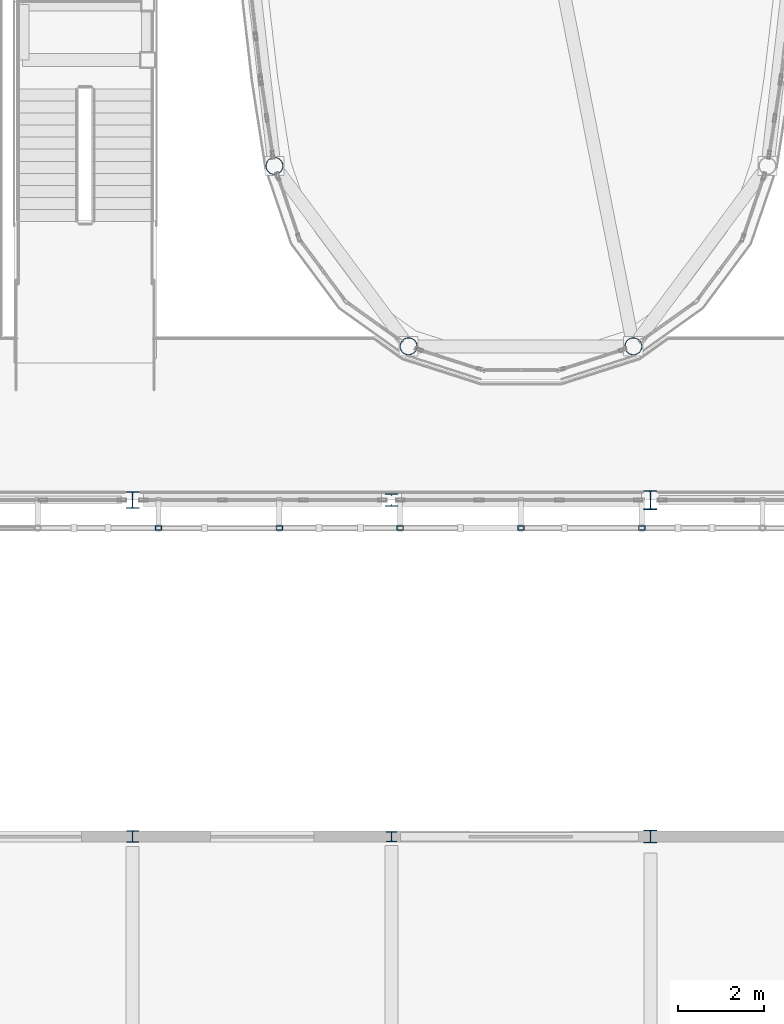
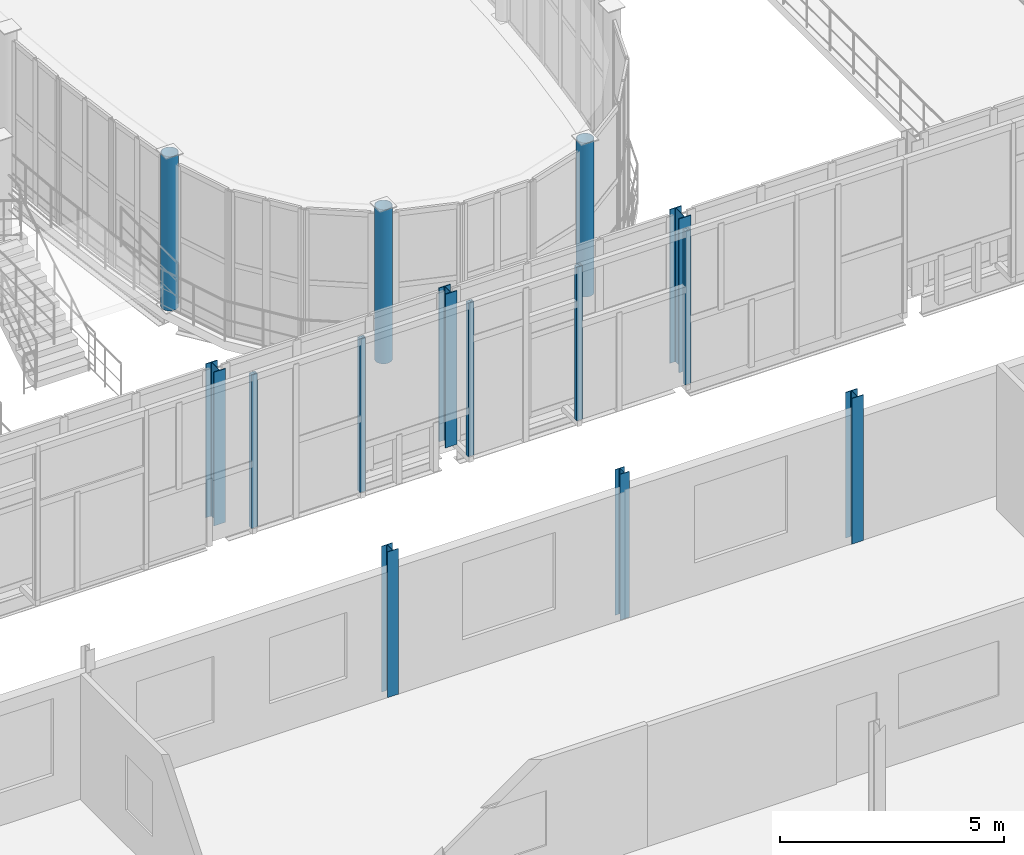
# One storey, part 5 of 121: 14 columns.
"""IFC4 building model written with IfcOpenShell, lengths in metres."""

from ifc_helpers import new_model, si_unit, direction, frame, origin, origin_2d, place, context, subcontext, project, spatial, hollow_rectangle, hollow_circle, i_section, extrude, material, material_profile, profile_set, type_object, element, save


model = new_model("IFC4")

# Units and contexts
model_context = context("Model", 3, precision=1e-05, world=origin(), true_north=direction((0.0, 1.0)))
body_context = subcontext(model_context, "Body", "Model", "MODEL_VIEW")
ifc_project = project(units=[si_unit("LENGTHUNIT", "METRE"), si_unit("AREAUNIT", "SQUARE_METRE"), si_unit("VOLUMEUNIT", "CUBIC_METRE"), si_unit("PLANEANGLEUNIT", "RADIAN"), si_unit("MASSUNIT", "GRAM", prefix="KILO")], contexts=[model_context])

# Site, building, storey
site_placement = place(None, origin())
site = spatial("IfcSite", under=ifc_project, at=site_placement, CompositionType="ELEMENT")
building_placement = place(site_placement, origin())
building = spatial("IfcBuilding", under=site, at=building_placement, Name="Vinh Khe Railworks Police Headquarters", CompositionType="ELEMENT")
storey_placement = place(building_placement, frame((0.0, 0.0, 4.800048828125)))
storey = spatial("IfcBuildingStorey", under=building, at=storey_placement, Name="L01", CompositionType="ELEMENT", Elevation=4.800048828125)

# Columns
ifc_material = material(Name="Steel S355JR", Category="steel")
ifc_material_profile_1 = material_profile(ifc_material, hollow_rectangle(XDim=0.14990234375, YDim=0.10009765625, WallThickness=0.008056640625, at=origin_2d()), Name="RHS 150x100x8")
ifc_profile_set_1 = profile_set([ifc_material_profile_1], Name="Steel S355JR")
column_type_1 = type_object("IfcColumnType", Name="COL-QUILT-POST", PredefinedType="COLUMN", material=ifc_profile_set_1)
for number, where, z_axis, x_axis, name in (
    (1, (34.800048828125, 24.550048828125, 0.0), (0.0, 0.0, 1.0), (1.0, 0.0, 0.0), "Patchwork Quilt Carrier Column S-4 (L01)"),
    (2, (37.60009765625, 24.550048828125, 0.0), (0.0, 0.0, 1.0), (1.0, 0.0, 0.0), "Patchwork Quilt Carrier Column S-5 (L01)"),
    (3, (40.39990234375, 24.550048828125, 0.0), (0.0, 0.0, 1.0), (1.0, 0.0, 0.0), "Patchwork Quilt Carrier Column S-6 (L01)"),
    (4, (43.199951171875, 24.550048828125, 0.0), (0.0, 0.0, 1.0), (1.0, 0.0, 0.0), "Patchwork Quilt Carrier Column S-7 (L01)"),
    (5, (46.0, 24.550048828125, 0.0), (0.0, 0.0, 1.0), (1.0, 0.0, 0.0), "Patchwork Quilt Carrier Column S-8 (L01)"),
):
    element("IfcColumn", number, at=place(storey_placement, frame(where, z_axis=z_axis, x_axis=x_axis)), inside=storey, type_object=column_type_1, Name=name, PredefinedType="COLUMN", context=body_context, shape_type="SweptSolid", body=[
        extrude(hollow_rectangle(XDim=0.14990234375, YDim=0.10009765625, WallThickness=0.008056640625, at=origin_2d()), origin(), (0.0, 0.0, 1.0), 4.199951171875),
    ])
ifc_material_profile_2 = material_profile(ifc_material, hollow_circle(Radius=0.203125, WallThickness=0.01611328125, at=origin_2d()), Name="CHS 406.4x16")
ifc_profile_set_2 = profile_set([ifc_material_profile_2], Name="Steel S355JR")
column_type_2 = type_object("IfcColumnType", Name="Steel Column CHS 406.4x16", PredefinedType="COLUMN", material=ifc_profile_set_2)
for number, where, z_axis, x_axis, name in (
    (6, (37.48681640625, 32.944091796875, 0.0), (0.0, 0.0, 1.0), (-0.946480392435, -0.322761315426, 0.0), "Column COL-L01-SC-26-0841"),
    (7, (40.594970703125, 28.762451171875, 0.0), (0.0, 0.0, 1.0), (-0.30552912238, -0.952182732136, 0.0), "Column COL-L01-SC-26-0880"),
    (8, (45.80517578125, 28.762451171875, 0.0), (0.0, 0.0, 1.0), (0.581981048437, -0.813202348287, 0.0), "Column COL-L01-SC-26-0890"),
):
    element("IfcColumn", number, at=place(storey_placement, frame(where, z_axis=z_axis, x_axis=x_axis)), inside=storey, type_object=column_type_2, Name=name, PredefinedType="COLUMN", context=body_context, shape_type="SweptSolid", body=[
        extrude(hollow_circle(Radius=0.203125, WallThickness=0.01611328125, at=origin_2d()), origin(), (0.0, 0.0, 1.0), 4.199951171875),
    ])
ifc_material_profile_3 = material_profile(ifc_material, i_section(OverallWidth=0.239990234375, OverallDepth=0.22998046875, WebThickness=0.007568359375, FlangeThickness=0.011962890625, FilletRadius=0.02099609375, at=origin_2d()), Name="HEA 240")
ifc_profile_set_3 = profile_set([ifc_material_profile_3], Name="Steel S355JR")
column_type_3 = type_object("IfcColumnType", Name="Steel Column HEA 240", PredefinedType="COLUMN", material=ifc_profile_set_3)
column_1_placement = place(storey_placement, frame((40.199951171875, 17.39990234375, 0.0), z_axis=(0.0, 0.0, 1.0), x_axis=(1.0, 0.0, 0.0)))
element("IfcColumn", 9, at=column_1_placement, inside=storey, type_object=column_type_3, Name="Column COL-L01-SC-20-0857", PredefinedType="COLUMN", context=body_context, shape_type="SweptSolid", body=[
    extrude(i_section(OverallWidth=0.239990234375, OverallDepth=0.22998046875, WebThickness=0.007568359375, FlangeThickness=0.011962890625, FilletRadius=0.02099609375, at=origin_2d()), origin(), (0.0, 0.0, 1.0), 3.97998046875),
])
ifc_material_profile_4 = material_profile(ifc_material, i_section(OverallWidth=0.280029296875, OverallDepth=0.27001953125, WebThickness=0.008056640625, FlangeThickness=0.012939453125, FilletRadius=0.02392578125, at=origin_2d()), Name="HEA 280")
ifc_profile_set_4 = profile_set([ifc_material_profile_4], Name="Steel S355JR")
column_type_4 = type_object("IfcColumnType", Name="Steel Column HEA 280", PredefinedType="COLUMN", material=ifc_profile_set_4)
column_2_placement = place(storey_placement, frame((34.199951171875, 17.39990234375, 0.0), z_axis=(0.0, 0.0, 1.0), x_axis=(1.0, 0.0, 0.0)))
element("IfcColumn", 10, at=column_2_placement, inside=storey, type_object=column_type_4, Name="Column COL-L01-SC-19-0788", PredefinedType="COLUMN", context=body_context, shape_type="SweptSolid", body=[
    extrude(i_section(OverallWidth=0.280029296875, OverallDepth=0.27001953125, WebThickness=0.008056640625, FlangeThickness=0.012939453125, FilletRadius=0.02392578125, at=origin_2d()), origin(), (0.0, 0.0, 1.0), 3.97998046875),
])
ifc_material_profile_5 = material_profile(ifc_material, i_section(OverallWidth=0.300048828125, OverallDepth=0.2900390625, WebThickness=0.008544921875, FlangeThickness=0.013916015625, FilletRadius=0.027099609375, at=origin_2d()), Name="HEA 300")
ifc_profile_set_5 = profile_set([ifc_material_profile_5], Name="Steel S355JR")
column_type_5 = type_object("IfcColumnType", Name="Steel Column HEA 300", PredefinedType="COLUMN", material=ifc_profile_set_5)
column_3_placement = place(storey_placement, frame((46.199951171875, 17.39990234375, 0.0), z_axis=(0.0, 0.0, 1.0), x_axis=(1.0, 0.0, 0.0)))
element("IfcColumn", 11, at=column_3_placement, inside=storey, type_object=column_type_5, Name="Column COL-L01-SC-18-0906", PredefinedType="COLUMN", context=body_context, shape_type="SweptSolid", body=[
    extrude(i_section(OverallWidth=0.300048828125, OverallDepth=0.2900390625, WebThickness=0.008544921875, FlangeThickness=0.013916015625, FilletRadius=0.027099609375, at=origin_2d()), origin(), (0.0, 0.0, 1.0), 3.97998046875),
])
ifc_material_profile_6 = material_profile(ifc_material, i_section(OverallWidth=0.300048828125, OverallDepth=0.389892578125, WebThickness=0.010986328125, FlangeThickness=0.01904296875, FilletRadius=0.027099609375, at=origin_2d()), Name="HEA 400")
ifc_profile_set_6 = profile_set([ifc_material_profile_6], Name="Steel S355JR")
column_type_6 = type_object("IfcColumnType", Name="Steel Column HEA 400", PredefinedType="COLUMN", material=ifc_profile_set_6)
column_4_placement = place(storey_placement, frame((34.199951171875, 25.199951171875, 0.0), z_axis=(0.0, 0.0, 1.0), x_axis=(1.0, 0.0, 0.0)))
element("IfcColumn", 12, at=column_4_placement, inside=storey, type_object=column_type_6, Name="Column COL-L01-SC-15-0791", PredefinedType="COLUMN", context=body_context, shape_type="SweptSolid", body=[
    extrude(i_section(OverallWidth=0.300048828125, OverallDepth=0.389892578125, WebThickness=0.010986328125, FlangeThickness=0.01904296875, FilletRadius=0.027099609375, at=origin_2d()), origin(), (0.0, 0.0, 1.0), 4.199951171875),
])
ifc_material_profile_7 = material_profile(ifc_material, i_section(OverallWidth=0.300048828125, OverallDepth=0.43994140625, WebThickness=0.011474609375, FlangeThickness=0.02099609375, FilletRadius=0.027099609375, at=origin_2d()), Name="HEA 450")
ifc_profile_set_7 = profile_set([ifc_material_profile_7], Name="Steel S355JR")
column_type_7 = type_object("IfcColumnType", Name="Steel Column HEA 450", PredefinedType="COLUMN", material=ifc_profile_set_7)
column_5_placement = place(storey_placement, frame((46.199951171875, 25.199951171875, 0.0), z_axis=(0.0, 0.0, 1.0), x_axis=(1.0, 0.0, 0.0)))
element("IfcColumn", 13, at=column_5_placement, inside=storey, type_object=column_type_7, Name="Column COL-L01-SC-14-0909", PredefinedType="COLUMN", context=body_context, shape_type="SweptSolid", body=[
    extrude(i_section(OverallWidth=0.300048828125, OverallDepth=0.43994140625, WebThickness=0.011474609375, FlangeThickness=0.02099609375, FilletRadius=0.027099609375, at=origin_2d()), origin(), (0.0, 0.0, 1.0), 4.199951171875),
])
ifc_material_profile_8 = material_profile(ifc_material, i_section(OverallWidth=0.300048828125, OverallDepth=0.300048828125, WebThickness=0.010986328125, FlangeThickness=0.01904296875, FilletRadius=0.027099609375, at=origin_2d()), Name="HEB 300")
ifc_profile_set_8 = profile_set([ifc_material_profile_8], Name="Steel S355JR")
column_type_8 = type_object("IfcColumnType", Name="Steel Column HEB 300", PredefinedType="COLUMN", material=ifc_profile_set_8)
column_6_placement = place(storey_placement, frame((40.199951171875, 25.199951171875, 0.0), z_axis=(0.0, 0.0, 1.0), x_axis=(1.0, 0.0, 0.0)))
element("IfcColumn", 14, at=column_6_placement, inside=storey, type_object=column_type_8, Name="Column COL-L01-SC-11-0860", PredefinedType="COLUMN", context=body_context, shape_type="SweptSolid", body=[
    extrude(i_section(OverallWidth=0.300048828125, OverallDepth=0.300048828125, WebThickness=0.010986328125, FlangeThickness=0.01904296875, FilletRadius=0.027099609375, at=origin_2d()), origin(), (0.0, 0.0, 1.0), 4.199951171875),
])

save(model, "model.ifc")
